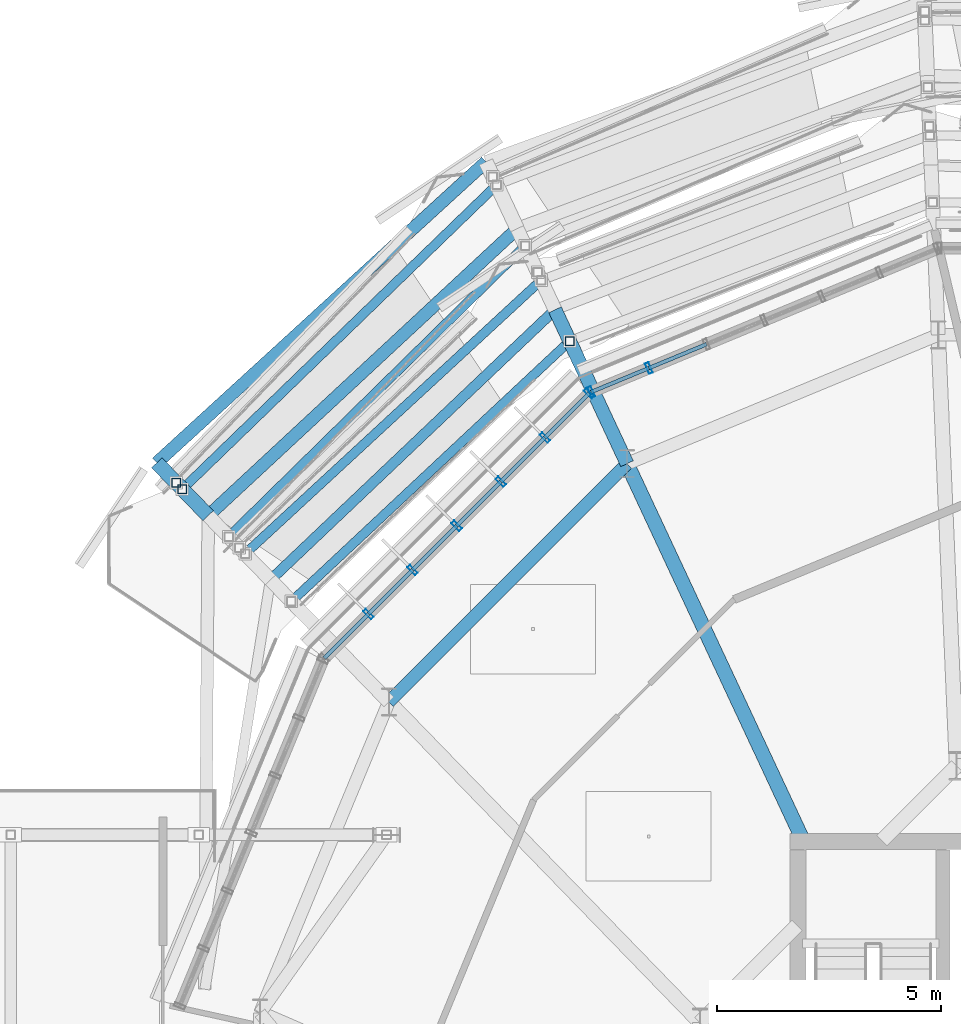
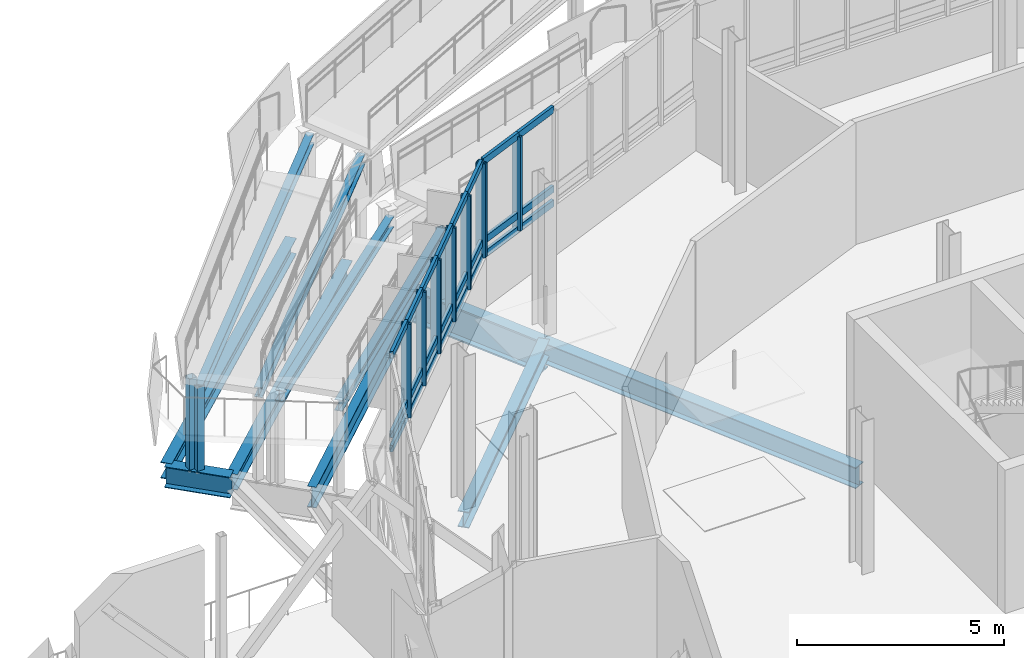
# One storey, part 53 of 139: 35 members, 11 beams, 2 elements without a shape of their own.
"""IFC4 building model written with IfcOpenShell, lengths in metres."""

from ifc_helpers import new_model, si_unit, derived_unit, direction, frame, origin, origin_2d, place, context, subcontext, project, spatial, hollow_rectangle, i_section, extrude, material, layer, layer_set, material_profile, profile_set, type_object, element, aggregate, save


model = new_model("IFC4")

# Units and contexts
model_context = context("Model", 3, precision=1e-05, world=origin(), true_north=direction((0.0, 1.0)))
body_context = subcontext(model_context, "Body", "Model", "MODEL_VIEW")
ifc_project = project(units=[si_unit("LENGTHUNIT", "METRE"), si_unit("AREAUNIT", "SQUARE_METRE"), si_unit("VOLUMEUNIT", "CUBIC_METRE"), si_unit("PLANEANGLEUNIT", "RADIAN"), si_unit("MASSUNIT", "GRAM", prefix="KILO"), derived_unit("THERMALTRANSMITTANCEUNIT", [(si_unit("MASSUNIT", "GRAM", prefix="KILO"), 1), (si_unit("TIMEUNIT", "SECOND"), -3), (si_unit("THERMODYNAMICTEMPERATUREUNIT", "KELVIN"), -1)])], contexts=[model_context])

# Site, building, storey
site_placement = place(None, origin())
site = spatial("IfcSite", under=ifc_project, at=site_placement, CompositionType="ELEMENT")
building_placement = place(site_placement, origin())
building = spatial("IfcBuilding", under=site, at=building_placement, Name="Makaiwela Harbour Ferry Terminal", CompositionType="ELEMENT")
storey_placement = place(building_placement, frame((0.0, 0.0, 5.10009765625)))
storey = spatial("IfcBuildingStorey", under=building, at=storey_placement, Name="L01", CompositionType="ELEMENT", Elevation=5.10009765625)

# Curtain wall, members
ifc_material_1 = material(Name="Marine anodised aluminium 6063-T6", Category="aluminium")
ifc_layer = layer(ifc_material_1, 0.199951171875)
ifc_layer_set = layer_set([ifc_layer], Name="Marine anodised aluminium 6063-T6")
curtain_wall_type = type_object("IfcCurtainWallType", Name="ENV-CW-03", PredefinedType="USERDEFINED", material=ifc_layer_set)
curtain_wall_1_placement = place(storey_placement, origin())
curtain_wall_1 = element("IfcCurtainWall", 1, at=curtain_wall_1_placement, inside=storey, type_object=curtain_wall_type, Name="Unitised Curtain Wall CWA-013", ObjectType="UNITIZED CURTAIN WALL", PredefinedType="USERDEFINED")
ifc_material_profile_1 = material_profile(ifc_material_1, hollow_rectangle(XDim=0.0849609375, YDim=0.25, WallThickness=0.0048828125, at=origin_2d()), Name="CWM-250X85")
ifc_profile_set_1 = profile_set([ifc_material_profile_1], Name="Marine anodised aluminium 6063-T6")
member_type_1 = type_object("IfcMemberType", Name="CW-MUL-250", PredefinedType="MULLION", material=ifc_profile_set_1)
member_1_placement = place(storey_placement, frame((26.865966796875, 86.284912109375, 1.47998046875), z_axis=(0.0, 0.0, 1.0), x_axis=(0.923879532511, 0.382683432365, 0.0)))
member_1 = element("IfcMember", 2, at=member_1_placement, type_object=member_type_1, Name="Curtain Wall Mullion CWA-013-6", PredefinedType="MULLION", context=body_context, shape_type="SweptSolid", body=[
    extrude(hollow_rectangle(XDim=0.0849609375, YDim=0.25, WallThickness=0.0048828125, at=origin_2d()), origin(), (0.0, 0.0, 1.0), 2.760009765625),
])
member_2_placement = place(storey_placement, frame((25.577392578125, 85.751220703125, 1.47998046875), z_axis=(0.0, 0.0, 1.0), x_axis=(0.923879532511, 0.382683432365, 0.0)))
member_2 = element("IfcMember", 3, at=member_2_placement, type_object=member_type_1, Name="Curtain Wall Mullion CWA-013-7", PredefinedType="MULLION", context=body_context, shape_type="SweptSolid", body=[
    extrude(hollow_rectangle(XDim=0.0849609375, YDim=0.25, WallThickness=0.0048828125, at=origin_2d()), origin(), (0.0, 0.0, 1.0), 2.760009765625),
])

curtain_wall_2_placement = place(storey_placement, origin())
curtain_wall_2 = element("IfcCurtainWall", 4, at=curtain_wall_2_placement, inside=storey, type_object=curtain_wall_type, Name="Unitised Curtain Wall CWA-014", ObjectType="UNITIZED CURTAIN WALL", PredefinedType="USERDEFINED")
member_3_placement = place(storey_placement, frame((25.528564453125, 85.718505859375, 1.47998046875), z_axis=(0.0, 0.0, 1.0), x_axis=(0.707106781187, 0.707106781187, 0.0)))
member_3 = element("IfcMember", 5, at=member_3_placement, type_object=member_type_1, Name="Curtain Wall Mullion CWA-014-1", PredefinedType="MULLION", context=body_context, shape_type="SweptSolid", body=[
    extrude(hollow_rectangle(XDim=0.0849609375, YDim=0.25, WallThickness=0.0048828125, at=origin_2d()), origin(), (0.0, 0.0, 1.0), 2.760009765625),
])
member_4_placement = place(storey_placement, frame((24.542236328125, 84.732421875, 1.47998046875), z_axis=(0.0, 0.0, 1.0), x_axis=(0.707106781187, 0.707106781187, 0.0)))
member_4 = element("IfcMember", 6, at=member_4_placement, type_object=member_type_1, Name="Curtain Wall Mullion CWA-014-2", PredefinedType="MULLION", context=body_context, shape_type="SweptSolid", body=[
    extrude(hollow_rectangle(XDim=0.0849609375, YDim=0.25, WallThickness=0.0048828125, at=origin_2d()), origin(), (0.0, 0.0, 1.0), 2.760009765625),
])
member_5_placement = place(storey_placement, frame((23.55615234375, 83.74609375, 1.47998046875), z_axis=(0.0, 0.0, 1.0), x_axis=(0.707106781187, 0.707106781187, 0.0)))
member_5 = element("IfcMember", 7, at=member_5_placement, type_object=member_type_1, Name="Curtain Wall Mullion CWA-014-3", PredefinedType="MULLION", context=body_context, shape_type="SweptSolid", body=[
    extrude(hollow_rectangle(XDim=0.0849609375, YDim=0.25, WallThickness=0.0048828125, at=origin_2d()), origin(), (0.0, 0.0, 1.0), 2.760009765625),
])
member_6_placement = place(storey_placement, frame((22.570068359375, 82.760009765625, 1.47998046875), z_axis=(0.0, 0.0, 1.0), x_axis=(0.707106781187, 0.707106781187, 0.0)))
member_6 = element("IfcMember", 8, at=member_6_placement, type_object=member_type_1, Name="Curtain Wall Mullion CWA-014-4", PredefinedType="MULLION", context=body_context, shape_type="SweptSolid", body=[
    extrude(hollow_rectangle(XDim=0.0849609375, YDim=0.25, WallThickness=0.0048828125, at=origin_2d()), origin(), (0.0, 0.0, 1.0), 2.760009765625),
])
member_7_placement = place(storey_placement, frame((21.583740234375, 81.773681640625, 1.47998046875), z_axis=(0.0, 0.0, 1.0), x_axis=(0.707106781187, 0.707106781187, 0.0)))
member_7 = element("IfcMember", 9, at=member_7_placement, type_object=member_type_1, Name="Curtain Wall Mullion CWA-014-5", PredefinedType="MULLION", context=body_context, shape_type="SweptSolid", body=[
    extrude(hollow_rectangle(XDim=0.0849609375, YDim=0.25, WallThickness=0.0048828125, at=origin_2d()), origin(), (0.0, 0.0, 1.0), 2.760009765625),
])
member_8_placement = place(storey_placement, frame((20.59765625, 80.78759765625, 1.47998046875), z_axis=(0.0, 0.0, 1.0), x_axis=(0.707106781187, 0.707106781187, 0.0)))
member_8 = element("IfcMember", 10, at=member_8_placement, type_object=member_type_1, Name="Curtain Wall Mullion CWA-014-6", PredefinedType="MULLION", context=body_context, shape_type="SweptSolid", body=[
    extrude(hollow_rectangle(XDim=0.0849609375, YDim=0.25, WallThickness=0.0048828125, at=origin_2d()), origin(), (0.0, 0.0, 1.0), 2.760009765625),
])

# Member
ifc_material_profile_2 = material_profile(ifc_material_1, hollow_rectangle(XDim=0.0849609375, YDim=0.199951171875, WallThickness=0.0048828125, at=origin_2d()), Name="CWT-200X85")
ifc_profile_set_2 = profile_set([ifc_material_profile_2], Name="Marine anodised aluminium 6063-T6")
member_type_2 = type_object("IfcMemberType", Name="CW-TRN-200", PredefinedType="USERDEFINED", material=ifc_profile_set_2)
member_9_placement = place(storey_placement, frame((28.154296875, 86.818603515625, 1.47998046875), z_axis=(-0.923867459974, -0.382712576749, 0.0), x_axis=(0.382712576749, -0.923867459974, 0.0)))
member_9 = element("IfcMember", 11, at=member_9_placement, type_object=member_type_2, Name="Curtain Wall Transom CWA-013-5-1", ObjectType="TRANSOM", PredefinedType="USERDEFINED", context=body_context, shape_type="SweptSolid", body=[
    extrude(hollow_rectangle(XDim=0.0849609375, YDim=0.199951171875, WallThickness=0.0048828125, at=origin_2d()), origin(), (0.0, 0.0, 1.0), 1.39453125),
])

member_10_placement = place(storey_placement, frame((28.154296875, 86.818603515625, 1.89990234375), z_axis=(-0.923867459974, -0.382712576749, 0.0), x_axis=(0.382712576749, -0.923867459974, 0.0)))
member_10 = element("IfcMember", 12, at=member_10_placement, type_object=member_type_2, Name="Curtain Wall Transom CWA-013-5-2", ObjectType="TRANSOM", PredefinedType="USERDEFINED", context=body_context, shape_type="SweptSolid", body=[
    extrude(hollow_rectangle(XDim=0.0849609375, YDim=0.199951171875, WallThickness=0.0048828125, at=origin_2d()), origin(), (0.0, 0.0, 1.0), 1.39453125),
])

member_11_placement = place(storey_placement, frame((28.154296875, 86.818603515625, 4.239990234375), z_axis=(-0.923867459974, -0.382712576749, 0.0), x_axis=(0.382712576749, -0.923867459974, 0.0)))
member_11 = element("IfcMember", 13, at=member_11_placement, type_object=member_type_2, Name="Curtain Wall Transom CWA-013-5-3", ObjectType="TRANSOM", PredefinedType="USERDEFINED", context=body_context, shape_type="SweptSolid", body=[
    extrude(hollow_rectangle(XDim=0.0849609375, YDim=0.199951171875, WallThickness=0.0048828125, at=origin_2d()), origin(), (0.0, 0.0, 1.0), 1.39453125),
])

member_12_placement = place(storey_placement, frame((26.865966796875, 86.284912109375, 1.47998046875), z_axis=(-0.923893096707, -0.382650683858, 0.0), x_axis=(0.382650683858, -0.923893096707, 0.0)))
member_12 = element("IfcMember", 14, at=member_12_placement, type_object=member_type_2, Name="Curtain Wall Transom CWA-013-6-1", ObjectType="TRANSOM", PredefinedType="USERDEFINED", context=body_context, shape_type="SweptSolid", body=[
    extrude(hollow_rectangle(XDim=0.0849609375, YDim=0.199951171875, WallThickness=0.0048828125, at=origin_2d()), origin(), (0.0, 0.0, 1.0), 1.394775390625),
])

member_13_placement = place(storey_placement, frame((26.865966796875, 86.284912109375, 1.89990234375), z_axis=(-0.923893096707, -0.382650683858, 0.0), x_axis=(0.382650683858, -0.923893096707, 0.0)))
member_13 = element("IfcMember", 15, at=member_13_placement, type_object=member_type_2, Name="Curtain Wall Transom CWA-013-6-2", ObjectType="TRANSOM", PredefinedType="USERDEFINED", context=body_context, shape_type="SweptSolid", body=[
    extrude(hollow_rectangle(XDim=0.0849609375, YDim=0.199951171875, WallThickness=0.0048828125, at=origin_2d()), origin(), (0.0, 0.0, 1.0), 1.394775390625),
])

member_14_placement = place(storey_placement, frame((26.865966796875, 86.284912109375, 4.239990234375), z_axis=(-0.923893096707, -0.382650683858, 0.0), x_axis=(0.382650683858, -0.923893096707, 0.0)))
member_14 = element("IfcMember", 16, at=member_14_placement, type_object=member_type_2, Name="Curtain Wall Transom CWA-013-6-3", ObjectType="TRANSOM", PredefinedType="USERDEFINED", context=body_context, shape_type="SweptSolid", body=[
    extrude(hollow_rectangle(XDim=0.0849609375, YDim=0.199951171875, WallThickness=0.0048828125, at=origin_2d()), origin(), (0.0, 0.0, 1.0), 1.394775390625),
])

aggregate(curtain_wall_1, [member_1, member_2, member_9, member_10, member_11, member_12, member_13, member_14])

member_15_placement = place(storey_placement, frame((25.528564453125, 85.718505859375, 1.47998046875), z_axis=(-0.707194299817, -0.707019251723, 0.0), x_axis=(0.707019251723, -0.707194299817, 0.0)))
member_15 = element("IfcMember", 17, at=member_15_placement, type_object=member_type_2, Name="Curtain Wall Transom CWA-014-1-1", ObjectType="TRANSOM", PredefinedType="USERDEFINED", context=body_context, shape_type="SweptSolid", body=[
    extrude(hollow_rectangle(XDim=0.0849609375, YDim=0.199951171875, WallThickness=0.0048828125, at=origin_2d()), origin(), (0.0, 0.0, 1.0), 1.394775390625),
])

member_16_placement = place(storey_placement, frame((25.528564453125, 85.718505859375, 1.89990234375), z_axis=(-0.707194299817, -0.707019251723, 0.0), x_axis=(0.707019251723, -0.707194299817, 0.0)))
member_16 = element("IfcMember", 18, at=member_16_placement, type_object=member_type_2, Name="Curtain Wall Transom CWA-014-1-2", ObjectType="TRANSOM", PredefinedType="USERDEFINED", context=body_context, shape_type="SweptSolid", body=[
    extrude(hollow_rectangle(XDim=0.0849609375, YDim=0.199951171875, WallThickness=0.0048828125, at=origin_2d()), origin(), (0.0, 0.0, 1.0), 1.394775390625),
])

member_17_placement = place(storey_placement, frame((25.528564453125, 85.718505859375, 4.239990234375), z_axis=(-0.707194299817, -0.707019251723, 0.0), x_axis=(0.707019251723, -0.707194299817, 0.0)))
member_17 = element("IfcMember", 19, at=member_17_placement, type_object=member_type_2, Name="Curtain Wall Transom CWA-014-1-3", ObjectType="TRANSOM", PredefinedType="USERDEFINED", context=body_context, shape_type="SweptSolid", body=[
    extrude(hollow_rectangle(XDim=0.0849609375, YDim=0.199951171875, WallThickness=0.0048828125, at=origin_2d()), origin(), (0.0, 0.0, 1.0), 1.394775390625),
])

member_18_placement = place(storey_placement, frame((24.542236328125, 84.732421875, 1.47998046875), z_axis=(-0.707019251723, -0.707194299817, 0.0), x_axis=(0.707194299817, -0.707019251723, 0.0)))
member_18 = element("IfcMember", 20, at=member_18_placement, type_object=member_type_2, Name="Curtain Wall Transom CWA-014-2-1", ObjectType="TRANSOM", PredefinedType="USERDEFINED", context=body_context, shape_type="SweptSolid", body=[
    extrude(hollow_rectangle(XDim=0.0849609375, YDim=0.199951171875, WallThickness=0.0048828125, at=origin_2d()), origin(), (0.0, 0.0, 1.0), 1.394775390625),
])

member_19_placement = place(storey_placement, frame((24.542236328125, 84.732421875, 1.89990234375), z_axis=(-0.707019251723, -0.707194299817, 0.0), x_axis=(0.707194299817, -0.707019251723, 0.0)))
member_19 = element("IfcMember", 21, at=member_19_placement, type_object=member_type_2, Name="Curtain Wall Transom CWA-014-2-2", ObjectType="TRANSOM", PredefinedType="USERDEFINED", context=body_context, shape_type="SweptSolid", body=[
    extrude(hollow_rectangle(XDim=0.0849609375, YDim=0.199951171875, WallThickness=0.0048828125, at=origin_2d()), origin(), (0.0, 0.0, 1.0), 1.394775390625),
])

member_20_placement = place(storey_placement, frame((24.542236328125, 84.732421875, 4.239990234375), z_axis=(-0.707019251723, -0.707194299817, 0.0), x_axis=(0.707194299817, -0.707019251723, 0.0)))
member_20 = element("IfcMember", 22, at=member_20_placement, type_object=member_type_2, Name="Curtain Wall Transom CWA-014-2-3", ObjectType="TRANSOM", PredefinedType="USERDEFINED", context=body_context, shape_type="SweptSolid", body=[
    extrude(hollow_rectangle(XDim=0.0849609375, YDim=0.199951171875, WallThickness=0.0048828125, at=origin_2d()), origin(), (0.0, 0.0, 1.0), 1.394775390625),
])

member_21_placement = place(storey_placement, frame((23.55615234375, 83.74609375, 1.47998046875), z_axis=(-0.707106781187, -0.707106781187, 0.0), x_axis=(0.707106781187, -0.707106781187, 0.0)))
member_21 = element("IfcMember", 23, at=member_21_placement, type_object=member_type_2, Name="Curtain Wall Transom CWA-014-3-1", ObjectType="TRANSOM", PredefinedType="USERDEFINED", context=body_context, shape_type="SweptSolid", body=[
    extrude(hollow_rectangle(XDim=0.0849609375, YDim=0.199951171875, WallThickness=0.0048828125, at=origin_2d()), origin(), (0.0, 0.0, 1.0), 1.39453125),
])

member_22_placement = place(storey_placement, frame((23.55615234375, 83.74609375, 1.89990234375), z_axis=(-0.707106781187, -0.707106781187, 0.0), x_axis=(0.707106781187, -0.707106781187, 0.0)))
member_22 = element("IfcMember", 24, at=member_22_placement, type_object=member_type_2, Name="Curtain Wall Transom CWA-014-3-2", ObjectType="TRANSOM", PredefinedType="USERDEFINED", context=body_context, shape_type="SweptSolid", body=[
    extrude(hollow_rectangle(XDim=0.0849609375, YDim=0.199951171875, WallThickness=0.0048828125, at=origin_2d()), origin(), (0.0, 0.0, 1.0), 1.39453125),
])

member_23_placement = place(storey_placement, frame((23.55615234375, 83.74609375, 4.239990234375), z_axis=(-0.707106781187, -0.707106781187, 0.0), x_axis=(0.707106781187, -0.707106781187, 0.0)))
member_23 = element("IfcMember", 25, at=member_23_placement, type_object=member_type_2, Name="Curtain Wall Transom CWA-014-3-3", ObjectType="TRANSOM", PredefinedType="USERDEFINED", context=body_context, shape_type="SweptSolid", body=[
    extrude(hollow_rectangle(XDim=0.0849609375, YDim=0.199951171875, WallThickness=0.0048828125, at=origin_2d()), origin(), (0.0, 0.0, 1.0), 1.39453125),
])

member_24_placement = place(storey_placement, frame((22.570068359375, 82.760009765625, 1.47998046875), z_axis=(-0.707106781187, -0.707106781187, 0.0), x_axis=(0.707106781187, -0.707106781187, 0.0)))
member_24 = element("IfcMember", 26, at=member_24_placement, type_object=member_type_2, Name="Curtain Wall Transom CWA-014-4-1", ObjectType="TRANSOM", PredefinedType="USERDEFINED", context=body_context, shape_type="SweptSolid", body=[
    extrude(hollow_rectangle(XDim=0.0849609375, YDim=0.199951171875, WallThickness=0.0048828125, at=origin_2d()), origin(), (0.0, 0.0, 1.0), 1.394775390625),
])

member_25_placement = place(storey_placement, frame((22.570068359375, 82.760009765625, 1.89990234375), z_axis=(-0.707106781187, -0.707106781187, 0.0), x_axis=(0.707106781187, -0.707106781187, 0.0)))
member_25 = element("IfcMember", 27, at=member_25_placement, type_object=member_type_2, Name="Curtain Wall Transom CWA-014-4-2", ObjectType="TRANSOM", PredefinedType="USERDEFINED", context=body_context, shape_type="SweptSolid", body=[
    extrude(hollow_rectangle(XDim=0.0849609375, YDim=0.199951171875, WallThickness=0.0048828125, at=origin_2d()), origin(), (0.0, 0.0, 1.0), 1.394775390625),
])

member_26_placement = place(storey_placement, frame((22.570068359375, 82.760009765625, 4.239990234375), z_axis=(-0.707106781187, -0.707106781187, 0.0), x_axis=(0.707106781187, -0.707106781187, 0.0)))
member_26 = element("IfcMember", 28, at=member_26_placement, type_object=member_type_2, Name="Curtain Wall Transom CWA-014-4-3", ObjectType="TRANSOM", PredefinedType="USERDEFINED", context=body_context, shape_type="SweptSolid", body=[
    extrude(hollow_rectangle(XDim=0.0849609375, YDim=0.199951171875, WallThickness=0.0048828125, at=origin_2d()), origin(), (0.0, 0.0, 1.0), 1.394775390625),
])

member_27_placement = place(storey_placement, frame((21.583740234375, 81.773681640625, 1.47998046875), z_axis=(-0.707106781187, -0.707106781187, 0.0), x_axis=(0.707106781187, -0.707106781187, 0.0)))
member_27 = element("IfcMember", 29, at=member_27_placement, type_object=member_type_2, Name="Curtain Wall Transom CWA-014-5-1", ObjectType="TRANSOM", PredefinedType="USERDEFINED", context=body_context, shape_type="SweptSolid", body=[
    extrude(hollow_rectangle(XDim=0.0849609375, YDim=0.199951171875, WallThickness=0.0048828125, at=origin_2d()), origin(), (0.0, 0.0, 1.0), 1.39453125),
])

member_28_placement = place(storey_placement, frame((21.583740234375, 81.773681640625, 1.89990234375), z_axis=(-0.707106781187, -0.707106781187, 0.0), x_axis=(0.707106781187, -0.707106781187, 0.0)))
member_28 = element("IfcMember", 30, at=member_28_placement, type_object=member_type_2, Name="Curtain Wall Transom CWA-014-5-2", ObjectType="TRANSOM", PredefinedType="USERDEFINED", context=body_context, shape_type="SweptSolid", body=[
    extrude(hollow_rectangle(XDim=0.0849609375, YDim=0.199951171875, WallThickness=0.0048828125, at=origin_2d()), origin(), (0.0, 0.0, 1.0), 1.39453125),
])

member_29_placement = place(storey_placement, frame((21.583740234375, 81.773681640625, 4.239990234375), z_axis=(-0.707106781187, -0.707106781187, 0.0), x_axis=(0.707106781187, -0.707106781187, 0.0)))
member_29 = element("IfcMember", 31, at=member_29_placement, type_object=member_type_2, Name="Curtain Wall Transom CWA-014-5-3", ObjectType="TRANSOM", PredefinedType="USERDEFINED", context=body_context, shape_type="SweptSolid", body=[
    extrude(hollow_rectangle(XDim=0.0849609375, YDim=0.199951171875, WallThickness=0.0048828125, at=origin_2d()), origin(), (0.0, 0.0, 1.0), 1.39453125),
])

member_30_placement = place(storey_placement, frame((20.59765625, 80.78759765625, 1.47998046875), z_axis=(-0.707106781187, -0.707106781187, 0.0), x_axis=(0.707106781187, -0.707106781187, 0.0)))
member_30 = element("IfcMember", 32, at=member_30_placement, type_object=member_type_2, Name="Curtain Wall Transom CWA-014-6-1", ObjectType="TRANSOM", PredefinedType="USERDEFINED", context=body_context, shape_type="SweptSolid", body=[
    extrude(hollow_rectangle(XDim=0.0849609375, YDim=0.199951171875, WallThickness=0.0048828125, at=origin_2d()), origin(), (0.0, 0.0, 1.0), 1.39453125),
])

member_31_placement = place(storey_placement, frame((20.59765625, 80.78759765625, 1.89990234375), z_axis=(-0.707106781187, -0.707106781187, 0.0), x_axis=(0.707106781187, -0.707106781187, 0.0)))
member_31 = element("IfcMember", 33, at=member_31_placement, type_object=member_type_2, Name="Curtain Wall Transom CWA-014-6-2", ObjectType="TRANSOM", PredefinedType="USERDEFINED", context=body_context, shape_type="SweptSolid", body=[
    extrude(hollow_rectangle(XDim=0.0849609375, YDim=0.199951171875, WallThickness=0.0048828125, at=origin_2d()), origin(), (0.0, 0.0, 1.0), 1.39453125),
])

member_32_placement = place(storey_placement, frame((20.59765625, 80.78759765625, 4.239990234375), z_axis=(-0.707106781187, -0.707106781187, 0.0), x_axis=(0.707106781187, -0.707106781187, 0.0)))
member_32 = element("IfcMember", 34, at=member_32_placement, type_object=member_type_2, Name="Curtain Wall Transom CWA-014-6-3", ObjectType="TRANSOM", PredefinedType="USERDEFINED", context=body_context, shape_type="SweptSolid", body=[
    extrude(hollow_rectangle(XDim=0.0849609375, YDim=0.199951171875, WallThickness=0.0048828125, at=origin_2d()), origin(), (0.0, 0.0, 1.0), 1.39453125),
])

aggregate(curtain_wall_2, [member_3, member_4, member_5, member_6, member_7, member_8, member_15, member_16, member_17, member_18, member_19, member_20, member_21, member_22, member_23, member_24, member_25, member_26, member_27, member_28, member_29, member_30, member_31, member_32])

# Beams
ifc_material_2 = material(Name="Steel ASTM A992 Grade 50", Category="steel")
ifc_material_profile_3 = material_profile(ifc_material_2, i_section(OverallWidth=0.280029296875, OverallDepth=0.462890625, WebThickness=0.0107421875, FlangeThickness=0.017333984375, at=origin_2d()), Name="W18X76")
ifc_profile_set_3 = profile_set([ifc_material_profile_3], Name="Steel ASTM A992 Grade 50")
beam_type_1 = type_object("IfcBeamType", Name="STR-BM-W18X76", PredefinedType="BEAM", material=ifc_profile_set_3)
beam_1_placement = place(storey_placement, frame((23.92138671875, 89.40185546875, -0.51171875), z_axis=(-0.732663441999, -0.680591125977, 0.0), x_axis=(0.680591125977, -0.732663441999, 0.0)))
element("IfcBeam", 35, at=beam_1_placement, inside=storey, type_object=beam_type_1, Name="Drum stage2 tie girder 89", PredefinedType="BEAM", context=body_context, shape_type="SweptSolid", body=[
    extrude(i_section(OverallWidth=0.280029296875, OverallDepth=0.462890625, WebThickness=0.0107421875, FlangeThickness=0.017333984375, at=origin_2d()), origin(), (0.0, 0.0, 1.0), 9.428466796875),
])
ifc_material_profile_4 = material_profile(ifc_material_2, i_section(OverallWidth=0.324951171875, OverallDepth=0.615966796875, WebThickness=0.013916015625, FlangeThickness=0.021484375, at=origin_2d()), Name="W24X117")
ifc_profile_set_4 = profile_set([ifc_material_profile_4], Name="Steel ASTM A992 Grade 50")
beam_type_2 = type_object("IfcBeamType", Name="STR-GRD-W24X117", PredefinedType="USERDEFINED", material=ifc_profile_set_4)
beam_2_placement = place(storey_placement, frame((30.30712890625, 75.739990234375, -0.588134765625), z_axis=(-0.423434085994, 0.905926914722, 0.0), x_axis=(-0.905926914722, -0.423434085994, 0.0)))
element("IfcBeam", 36, at=beam_2_placement, inside=storey, type_object=beam_type_2, Name="Drum radial girder 45", ObjectType="GIRDER", PredefinedType="USERDEFINED", context=body_context, shape_type="SweptSolid", body=[
    extrude(i_section(OverallWidth=0.324951171875, OverallDepth=0.615966796875, WebThickness=0.013916015625, FlangeThickness=0.021484375, at=origin_2d()), origin(), (0.0, 0.0, 1.0), 9.280517578125),
])
beam_3_placement = place(storey_placement, frame((17.013427734375, 82.98486328125, -0.588134765625), z_axis=(-0.696448486815, 0.717606790111, 0.0), x_axis=(-0.717606790111, -0.696448486815, 0.0)))
element("IfcBeam", 37, at=beam_3_placement, inside=storey, type_object=beam_type_2, Name="Promenade terrace bracket 52", ObjectType="GIRDER", PredefinedType="USERDEFINED", context=body_context, shape_type="SweptSolid", body=[
    extrude(i_section(OverallWidth=0.324951171875, OverallDepth=0.615966796875, WebThickness=0.013916015625, FlangeThickness=0.021484375, at=origin_2d()), origin(), (0.0, 0.0, 1.0), 1.650146484375),
])
ifc_material_profile_5 = material_profile(ifc_material_2, i_section(OverallWidth=0.22900390625, OverallDepth=0.612060546875, WebThickness=0.011962890625, FlangeThickness=0.01953125, at=origin_2d()), Name="W24X84")
ifc_profile_set_5 = profile_set([ifc_material_profile_5], Name="Steel ASTM A992 Grade 50")
beam_type_3 = type_object("IfcBeamType", Name="STR-GRD-W24X84", PredefinedType="USERDEFINED", material=ifc_profile_set_5)
beam_4_placement = place(storey_placement, frame((24.768310546875, 87.58984375, -0.586181640625), z_axis=(-0.725208541856, -0.688529281018, 0.0), x_axis=(0.688529281018, -0.725208541856, 0.0)))
element("IfcBeam", 38, at=beam_4_placement, inside=storey, type_object=beam_type_3, Name="Drum overhang tie girder 88", ObjectType="GIRDER", PredefinedType="USERDEFINED", context=body_context, shape_type="SweptSolid", body=[
    extrude(i_section(OverallWidth=0.22900390625, OverallDepth=0.612060546875, WebThickness=0.011962890625, FlangeThickness=0.01953125, at=origin_2d()), origin(), (0.0, 0.0, 1.0), 8.772705078125),
])
ifc_material_profile_6 = material_profile(ifc_material_2, i_section(OverallWidth=0.31005859375, OverallDepth=0.949951171875, WebThickness=0.0244140625, FlangeThickness=0.0439453125, at=origin_2d()), Name="W36X256")
ifc_profile_set_6 = profile_set([ifc_material_profile_6], Name="Steel ASTM A992 Grade 50")
beam_type_4 = type_object("IfcBeamType", Name="STR-GRD-W36X256", PredefinedType="USERDEFINED", material=ifc_profile_set_6)
beam_5_placement = place(storey_placement, frame((26.37744140625, 84.1474609375, -0.755126953125), z_axis=(-0.423465730758, 0.905912123152, 0.0), x_axis=(-0.905912123152, -0.423465730758, 0.0)))
element("IfcBeam", 39, at=beam_5_placement, inside=storey, type_object=beam_type_4, Name="Drum radial overhang 46", ObjectType="GIRDER", PredefinedType="USERDEFINED", context=body_context, shape_type="SweptSolid", body=[
    extrude(i_section(OverallWidth=0.31005859375, OverallDepth=0.949951171875, WebThickness=0.0244140625, FlangeThickness=0.0439453125, at=origin_2d()), origin(), (0.0, 0.0, 1.0), 3.7998046875),
])
ifc_material_profile_7 = material_profile(ifc_material_2, i_section(OverallWidth=0.205078125, OverallDepth=0.31005859375, WebThickness=0.009521484375, FlangeThickness=0.016357421875, at=origin_2d()), Name="W12X50")
ifc_profile_set_7 = profile_set([ifc_material_profile_7], Name="Steel ASTM A992 Grade 50")
beam_type_5 = type_object("IfcBeamType", Name="STR-LNT-W12X50", PredefinedType="LINTEL", material=ifc_profile_set_7)
beam_6_placement = place(storey_placement, frame((25.095703125, 86.8896484375, 1.598388671875), z_axis=(-0.728072911608, -0.681359447319, 0.075227248607), x_axis=(0.683295622908, -0.730141829863, 0.0)))
element("IfcBeam", 40, at=beam_6_placement, inside=storey, type_object=beam_type_5, Name="Coiled Ramp Stringer L01-FI4-IN", PredefinedType="LINTEL", context=body_context, shape_type="SweptSolid", body=[
    extrude(i_section(OverallWidth=0.205078125, OverallDepth=0.31005859375, WebThickness=0.009521484375, FlangeThickness=0.016357421875, at=origin_2d()), origin(), (0.0, 0.0, 1.0), 8.545166015625),
])
beam_7_placement = place(storey_placement, frame((24.459228515625, 88.251220703125, 1.374755859375), z_axis=(-0.731081176608, -0.675592883727, 0.095365447968), x_axis=(0.678686111405, -0.734428459542, 0.0)))
element("IfcBeam", 41, at=beam_7_placement, inside=storey, type_object=beam_type_5, Name="Coiled Ramp Stringer L01-FI4-OUT", PredefinedType="LINTEL", context=body_context, shape_type="SweptSolid", body=[
    extrude(i_section(OverallWidth=0.205078125, OverallDepth=0.31005859375, WebThickness=0.009521484375, FlangeThickness=0.016357421875, at=origin_2d()), origin(), (0.0, 0.0, 1.0), 9.054931640625),
])
beam_8_placement = place(storey_placement, frame((17.4716796875, 82.5126953125, 2.2412109375), z_axis=(0.711852041967, 0.698925486415, 0.069063990517), x_axis=(-0.700598352821, 0.713555847867, 0.0)))
element("IfcBeam", 42, at=beam_8_placement, inside=storey, type_object=beam_type_5, Name="Coiled Ramp Stringer L01-FO1-IN", PredefinedType="LINTEL", context=body_context, shape_type="SweptSolid", body=[
    extrude(i_section(OverallWidth=0.205078125, OverallDepth=0.31005859375, WebThickness=0.009521484375, FlangeThickness=0.016357421875, at=origin_2d()), origin(), (0.0, 0.0, 1.0), 9.311279296875),
])
beam_9_placement = place(storey_placement, frame((16.436767578125, 83.5791015625, 2.038818359375), z_axis=(0.715871242974, 0.692939884672, 0.085806058724), x_axis=(-0.695505005231, 0.718521250694, 0.0)))
element("IfcBeam", 43, at=beam_9_placement, inside=storey, type_object=beam_type_5, Name="Coiled Ramp Stringer L01-FO1-OUT", PredefinedType="LINTEL", context=body_context, shape_type="SweptSolid", body=[
    extrude(i_section(OverallWidth=0.205078125, OverallDepth=0.31005859375, WebThickness=0.009521484375, FlangeThickness=0.016357421875, at=origin_2d()), origin(), (0.0, 0.0, 1.0), 9.816162109375),
])

# Members
ifc_material_3 = material(Name="Steel ASTM A500 Grade C", Category="steel")
ifc_material_profile_8 = material_profile(ifc_material_3, hollow_rectangle(XDim=0.202880859375, YDim=0.202880859375, WallThickness=0.01171875, at=origin_2d()), Name="HSS8X8X1/2")
ifc_profile_set_8 = profile_set([ifc_material_profile_8], Name="Steel ASTM A500 Grade C")
member_type_3 = type_object("IfcMemberType", Name="STR-PST-HSS8", PredefinedType="POST", material=ifc_profile_set_8)
member_33_placement = place(storey_placement, frame((16.436767578125, 83.5791015625, -0.300048828125), z_axis=(0.0, 0.0, 1.0), x_axis=(1.0, 0.0, 0.0)))
element("IfcMember", 44, at=member_33_placement, inside=storey, type_object=member_type_3, Name="Exterior Ramp Support Post RP-0018", PredefinedType="POST", context=body_context, shape_type="SweptSolid", body=[
    extrude(hollow_rectangle(XDim=0.202880859375, YDim=0.202880859375, WallThickness=0.01171875, at=origin_2d()), origin(), (0.0, 0.0, 1.0), 2.493896484375),
])
member_34_placement = place(storey_placement, frame((16.30029296875, 83.719482421875, -0.300048828125), z_axis=(0.0, 0.0, 1.0), x_axis=(1.0, 0.0, 0.0)))
element("IfcMember", 45, at=member_34_placement, inside=storey, type_object=member_type_3, Name="Exterior Ramp Support Post RP-0019", PredefinedType="POST", context=body_context, shape_type="SweptSolid", body=[
    extrude(hollow_rectangle(XDim=0.202880859375, YDim=0.202880859375, WallThickness=0.01171875, at=origin_2d()), origin(), (0.0, 0.0, 1.0), 2.701416015625),
])
member_35_placement = place(storey_placement, frame((25.095703125, 86.8896484375, -0.300048828125), z_axis=(0.0, 0.0, 1.0), x_axis=(1.0, 0.0, 0.0)))
element("IfcMember", 46, at=member_35_placement, inside=storey, type_object=member_type_3, Name="Exterior Ramp Support Post RP-0053", PredefinedType="POST", context=body_context, shape_type="SweptSolid", body=[
    extrude(hollow_rectangle(XDim=0.202880859375, YDim=0.202880859375, WallThickness=0.01171875, at=origin_2d()), origin(), (0.0, 0.0, 1.0), 2.053466796875),
])

# Beams
ifc_material_profile_9 = material_profile(ifc_material_2, i_section(OverallWidth=0.283935546875, OverallDepth=0.47607421875, WebThickness=0.014892578125, FlangeThickness=0.02392578125, at=origin_2d()), Name="W18X106")
ifc_profile_set_9 = profile_set([ifc_material_profile_9], Name="Steel ASTM A992 Grade 50")
beam_type_6 = type_object("IfcBeamType", Name="STR-SPN-W18X106", PredefinedType="SPANDREL", material=ifc_profile_set_9)
beam_10_placement = place(storey_placement, frame((26.37744140625, 84.1474609375, -0.51806640625), z_axis=(-0.707106781187, -0.707106781187, 0.0), x_axis=(0.707106781187, -0.707106781187, 0.0)))
element("IfcBeam", 47, at=beam_10_placement, inside=storey, type_object=beam_type_6, Name="Drum column ring girder 17", PredefinedType="SPANDREL", context=body_context, shape_type="SweptSolid", body=[
    extrude(i_section(OverallWidth=0.283935546875, OverallDepth=0.47607421875, WebThickness=0.014892578125, FlangeThickness=0.02392578125, at=origin_2d()), origin(), (0.0, 0.0, 1.0), 7.530517578125),
])
beam_11_placement = place(storey_placement, frame((23.222900390625, 90.896484375, -0.51806640625), z_axis=(-0.738046928899, -0.674749383655, 0.0), x_axis=(0.674749383655, -0.738046928899, 0.0)))
element("IfcBeam", 48, at=beam_11_placement, inside=storey, type_object=beam_type_6, Name="Drum perimeter spandrel 108", PredefinedType="SPANDREL", context=body_context, shape_type="SweptSolid", body=[
    extrude(i_section(OverallWidth=0.283935546875, OverallDepth=0.47607421875, WebThickness=0.014892578125, FlangeThickness=0.02392578125, at=origin_2d()), origin(), (0.0, 0.0, 1.0), 9.970458984375),
])

save(model, "model.ifc")
